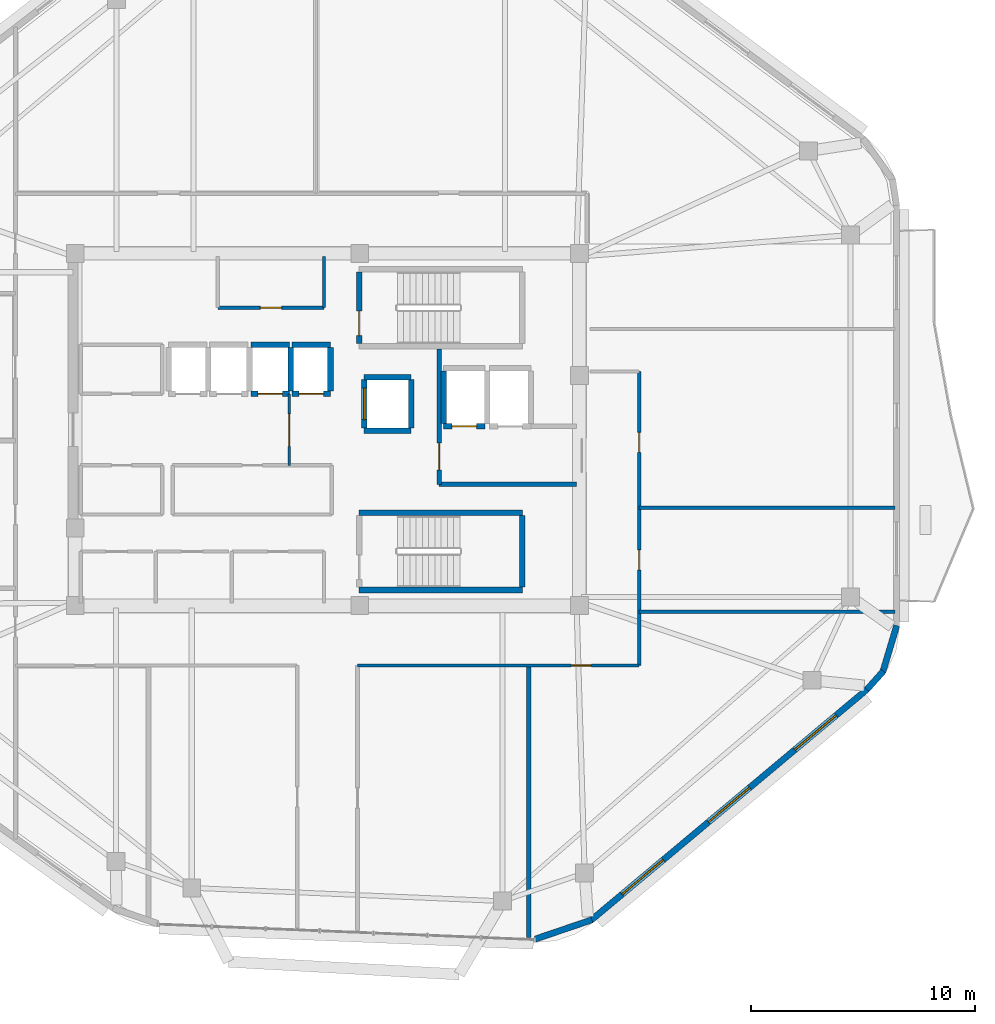
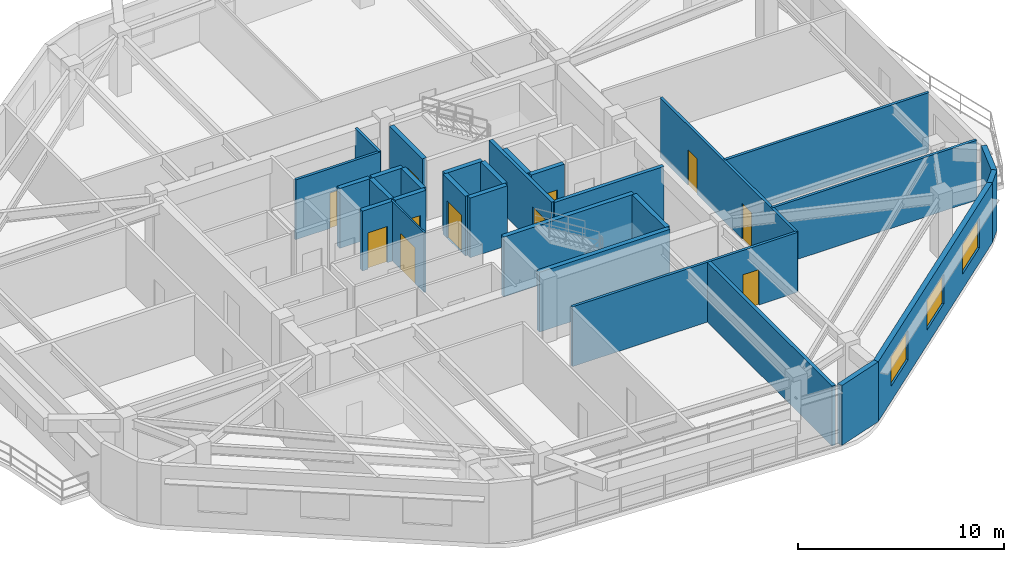
# One storey, part 9 of 13: 30 walls, 11 doors, 3 windows, 14 openings.
"""IFC4 building model written with IfcOpenShell, lengths in metres."""

from ifc_helpers import new_model, si_unit, direction, frame, frame_2d, origin, place, context, subcontext, project, spatial, rectangle, extrude, material, layer, layer_set, type_object, element, fill, save


model = new_model("IFC4")

# Units and contexts
model_context = context("Model", 3, precision=1e-05, world=origin(), true_north=direction((0.0, 1.0)))
body_context = subcontext(model_context, "Body", "Model", "MODEL_VIEW")
ifc_project = project(units=[si_unit("LENGTHUNIT", "METRE"), si_unit("AREAUNIT", "SQUARE_METRE"), si_unit("VOLUMEUNIT", "CUBIC_METRE"), si_unit("PLANEANGLEUNIT", "RADIAN"), si_unit("MASSUNIT", "GRAM", prefix="KILO")], contexts=[model_context])

# Site, building, storey
site_placement = place(None, origin())
site = spatial("IfcSite", under=ifc_project, at=site_placement, CompositionType="ELEMENT")
building_placement = place(site_placement, origin())
building = spatial("IfcBuilding", under=site, at=building_placement, Name="Zulverin Broadcast Headquarters", CompositionType="ELEMENT")
storey_placement = place(building_placement, frame((0.0, 0.0, 301.0)))
storey = spatial("IfcBuildingStorey", under=building, at=storey_placement, Name="L77", CompositionType="ELEMENT", Elevation=301.0)

# Wall
ifc_material_1 = material(Name="Acoustic drywall steel stud", Category="steel")
ifc_layer_1 = layer(ifc_material_1, 0.199951171875, Name="Acoustic drywall steel stud", Category="steel")
ifc_layer_set_1 = layer_set([ifc_layer_1], Name="Acoustic drywall steel stud")
wall_type_1 = type_object("IfcWallType", Name="WL-ACOU-200", PredefinedType="PARTITIONING", material=ifc_layer_set_1)
wall_1_placement = place(storey_placement, frame((46.0, 2.47705078125, 0.0), z_axis=(0.0, 0.0, 1.0), x_axis=(0.0, 1.0, 0.0)))
element("IfcWall", 1, at=wall_1_placement, inside=storey, type_object=wall_type_1, Name="L77 Room Partition Wall RP-03", PredefinedType="PARTITIONING", context=body_context, shape_type="SweptSolid", body=[
    extrude(rectangle(XDim=12.1728515625, YDim=0.199951171875, at=frame_2d((6.08642578125, 0.0))), origin(), (0.0, 0.0, 1.0), 3.5400390625),
])

# Wall, openings, windows
ifc_material_2 = material(Name="Insulated pale-metal clad concrete spandrel C40/50", Category="concrete")
ifc_layer_2 = layer(ifc_material_2, 0.280029296875, Name="Insulated pale-metal clad concrete spandrel C40/50", Category="concrete")
ifc_layer_set_2 = layer_set([ifc_layer_2], Name="Insulated pale-metal clad concrete spandrel C40/50")
wall_type_2 = type_object("IfcWallType", Name="WL-EXT-280", PredefinedType="STANDARD", material=ifc_layer_set_2)
wall_2_placement = place(storey_placement, frame((48.788818359375, 3.249755859375, 0.0), z_axis=(0.0, 0.0, 1.0), x_axis=(0.767032672101, 0.641608042288, 0.0)))
wall_2 = element("IfcWall", 2, at=wall_2_placement, inside=storey, type_object=wall_type_2, Name="L77 Pale-Metal Clad Spandrel Wall 2", PredefinedType="STANDARD", context=body_context, shape_type="SweptSolid", body=[
    extrude(rectangle(XDim=16.11328125, YDim=0.280029296875, at=frame_2d((8.056640625, 0.0))), origin(), (0.0, 0.0, 1.0), 3.5400390625),
])
opening_1_placement = place(wall_2_placement, frame((1.81884765625, 0.0, 0.89990234375)))
opening_1 = element("IfcOpeningElement", 3, at=opening_1_placement, cuts=wall_2, Name="Opening W-L77-E21", PredefinedType="OPENING", context=body_context, shape_type="SweptSolid", body=[
    extrude(rectangle(XDim=2.39990234375, YDim=1.75, at=frame_2d((1.199951171875, 0.875))), frame((0.0, 0.14990234375, 0.0), z_axis=(0.0, -1.0, 0.0), x_axis=(1.0, 0.0, 0.0)), (0.0, 0.0, 1.0), 0.300048828125),
])
opening_2_placement = place(wall_2_placement, frame((6.856689453125, 0.0, 0.89990234375)))
opening_2 = element("IfcOpeningElement", 4, at=opening_2_placement, cuts=wall_2, Name="Opening W-L77-E22", PredefinedType="OPENING", context=body_context, shape_type="SweptSolid", body=[
    extrude(rectangle(XDim=2.39990234375, YDim=1.75, at=frame_2d((1.199951171875, 0.875))), frame((0.0, 0.14990234375, 0.0), z_axis=(0.0, -1.0, 0.0), x_axis=(1.0, 0.0, 0.0)), (0.0, 0.0, 1.0), 0.300048828125),
])
opening_3_placement = place(wall_2_placement, frame((11.89453125, 0.0, 0.89990234375)))
opening_3 = element("IfcOpeningElement", 5, at=opening_3_placement, cuts=wall_2, Name="Opening W-L77-E23", PredefinedType="OPENING", context=body_context, shape_type="SweptSolid", body=[
    extrude(rectangle(XDim=2.39990234375, YDim=1.75, at=frame_2d((1.199951171875, 0.875))), frame((0.0, 0.14990234375, 0.0), z_axis=(0.0, -1.0, 0.0), x_axis=(1.0, 0.0, 0.0)), (0.0, 0.0, 1.0), 0.300048828125),
])
ifc_material_3 = material(Name="Pale anodized aluminium frame with solar-control low-E double glazing", Category="aluminium")
window_type = type_object("IfcWindowType", Name="WIN-RIB-2400", PartitioningType="SINGLE_PANEL", PredefinedType="WINDOW", material=ifc_material_3)
window_1_placement = place(opening_1_placement, origin())
window_1 = element("IfcWindow", 6, at=window_1_placement, inside=storey, type_object=window_type, Name="L77 Ribbon Glazing Window 2 1", OverallHeight=1.75, OverallWidth=2.39990234375, PartitioningType="SINGLE_PANEL", PredefinedType="WINDOW", context=body_context, shape_type="SweptSolid", body=[
    extrude(rectangle(XDim=2.39990234375, YDim=1.75, at=frame_2d((1.199951171875, 0.875))), frame((0.0, 0.030029296875, 0.0), z_axis=(0.0, -1.0, 0.0), x_axis=(1.0, 0.0, 0.0)), (0.0, 0.0, 1.0), 0.06005859375),
])
fill(opening_1, window_1)
window_2_placement = place(opening_2_placement, origin())
window_2 = element("IfcWindow", 7, at=window_2_placement, inside=storey, type_object=window_type, Name="L77 Ribbon Glazing Window 2 2", OverallHeight=1.75, OverallWidth=2.39990234375, PartitioningType="SINGLE_PANEL", PredefinedType="WINDOW", context=body_context, shape_type="SweptSolid", body=[
    extrude(rectangle(XDim=2.39990234375, YDim=1.75, at=frame_2d((1.199951171875, 0.875))), frame((0.0, 0.030029296875, 0.0), z_axis=(0.0, -1.0, 0.0), x_axis=(1.0, 0.0, 0.0)), (0.0, 0.0, 1.0), 0.06005859375),
])
fill(opening_2, window_2)
window_3_placement = place(opening_3_placement, origin())
window_3 = element("IfcWindow", 8, at=window_3_placement, inside=storey, type_object=window_type, Name="L77 Ribbon Glazing Window 2 3", OverallHeight=1.75, OverallWidth=2.39990234375, PartitioningType="SINGLE_PANEL", PredefinedType="WINDOW", context=body_context, shape_type="SweptSolid", body=[
    extrude(rectangle(XDim=2.39990234375, YDim=1.75, at=frame_2d((1.199951171875, 0.875))), frame((0.0, 0.030029296875, 0.0), z_axis=(0.0, -1.0, 0.0), x_axis=(1.0, 0.0, 0.0)), (0.0, 0.0, 1.0), 0.06005859375),
])
fill(opening_3, window_3)

# Walls
wall_3_placement = place(storey_placement, frame((46.301025390625, 2.413818359375, 0.0), z_axis=(0.0, 0.0, 1.0), x_axis=(0.946767737654, 0.321917459819, 0.0)))
element("IfcWall", 9, at=wall_3_placement, inside=storey, type_object=wall_type_2, Name="L77 Wind-Shaped Corner Spandrel Wall 1-1", PredefinedType="STANDARD", context=body_context, shape_type="SweptSolid", body=[
    extrude(rectangle(XDim=2.6748046875, YDim=0.280029296875, at=frame_2d((1.33740234375, 0.0))), origin(), (0.0, 0.0, 1.0), 3.5400390625),
])
wall_4_placement = place(storey_placement, frame((61.133544921875, 13.573974609375, 0.0), z_axis=(0.0, 0.0, 1.0), x_axis=(0.665804679247, 0.74612608123, 0.0)))
element("IfcWall", 10, at=wall_4_placement, inside=storey, type_object=wall_type_2, Name="L77 Wind-Shaped Corner Spandrel Wall 2-1", PredefinedType="STANDARD", context=body_context, shape_type="SweptSolid", body=[
    extrude(rectangle(XDim=1.103271484375, YDim=0.280029296875, at=frame_2d((0.5517578125, 0.0))), origin(), (0.0, 0.0, 1.0), 3.5400390625),
])
wall_5_placement = place(storey_placement, frame((61.838623046875, 14.34423828125, 0.0), z_axis=(0.0, 0.0, 1.0), x_axis=(0.287235049694, 0.957860128739, 0.0)))
element("IfcWall", 11, at=wall_5_placement, inside=storey, type_object=wall_type_2, Name="L77 Wind-Shaped Corner Spandrel Wall 2-2", PredefinedType="STANDARD", context=body_context, shape_type="SweptSolid", body=[
    extrude(rectangle(XDim=2.18359375, YDim=0.280029296875, at=frame_2d((1.091796875, 0.0))), origin(), (0.0, 0.0, 1.0), 3.5400390625),
])

# Wall, opening, door
ifc_material_4 = material(Name="Concrete C40/50", Category="concrete")
ifc_layer_3 = layer(ifc_material_4, 0.199951171875, Name="Concrete C40/50", Category="concrete")
ifc_layer_set_3 = layer_set([ifc_layer_3], Name="Concrete C40/50")
wall_type_3 = type_object("IfcWallType", Name="WL-FFL-200", PredefinedType="SOLIDWALL", material=ifc_layer_set_3)
wall_6_placement = place(storey_placement, frame((42.0, 22.75, 0.0), z_axis=(0.0, 0.0, 1.0), x_axis=(0.0, 1.0, 0.0)))
wall_6 = element("IfcWall", 12, at=wall_6_placement, inside=storey, type_object=wall_type_3, Name="L77 Firefighting Lift Lobby West Wall", PredefinedType="SOLIDWALL", context=body_context, shape_type="SweptSolid", body=[
    extrude(rectangle(XDim=6.050048828125, YDim=0.199951171875, at=frame_2d((3.02490234375, 0.0))), origin(), (0.0, 0.0, 1.0), 3.5400390625),
])
opening_4_placement = place(wall_6_placement, frame((0.64990234375, 0.0, 0.0)))
opening_4 = element("IfcOpeningElement", 13, at=opening_4_placement, cuts=wall_6, Name="Opening D-L77-FFLW", PredefinedType="OPENING", context=body_context, shape_type="SweptSolid", body=[
    extrude(rectangle(XDim=1.199951171875, YDim=2.14990234375, at=frame_2d((0.60009765625, 1.074951171875))), frame((0.0, 0.10986328125, 0.0), z_axis=(0.0, -1.0, 0.0), x_axis=(1.0, 0.0, 0.0)), (0.0, 0.0, 1.0), 0.219970703125),
])
ifc_material_5 = material(Name="Fire-rated steel leaf and frame", Category="steel")
door_type_1 = type_object("IfcDoorType", Name="DR-FFL-1200", OperationType="SINGLE_SWING_RIGHT", PredefinedType="DOOR", material=ifc_material_5)
door_1_placement = place(opening_4_placement, origin())
door_1 = element("IfcDoor", 14, at=door_1_placement, inside=storey, type_object=door_type_1, Name="L77 Firefighting Lift Lobby Door", OperationType="SINGLE_SWING_RIGHT", OverallHeight=2.14990234375, OverallWidth=1.199951171875, PredefinedType="DOOR", context=body_context, shape_type="SweptSolid", body=[
    extrude(rectangle(XDim=1.199951171875, YDim=2.14990234375, at=frame_2d((0.60009765625, 1.074951171875))), frame((0.0, 0.02490234375, 0.0), z_axis=(0.0, -1.0, 0.0), x_axis=(1.0, 0.0, 0.0)), (0.0, 0.0, 1.0), 0.050048828125),
])
fill(opening_4, door_1)

# Wall
wall_7_placement = place(storey_placement, frame((42.0, 22.75, 0.0), z_axis=(0.0, 0.0, 1.0), x_axis=(1.0, 0.0, 0.0)))
element("IfcWall", 15, at=wall_7_placement, inside=storey, type_object=wall_type_3, Name="L77 Firefighting Lift Lobby South Wall", PredefinedType="SOLIDWALL", context=body_context, shape_type="SweptSolid", body=[
    extrude(rectangle(XDim=6.14990234375, YDim=0.199951171875, at=frame_2d((3.074951171875, 0.0))), origin(), (0.0, 0.0, 1.0), 3.5400390625),
])

# Wall, opening, door
ifc_material_6 = material(Name="Fire-rated acoustic laminated glass screen", Category="glass")
ifc_layer_4 = layer(ifc_material_6, 0.10009765625, Name="Fire-rated acoustic laminated glass screen", Category="glass")
ifc_layer_set_4 = layer_set([ifc_layer_4], Name="Fire-rated acoustic laminated glass screen")
wall_type_4 = type_object("IfcWallType", Name="WL-GLAZ-100", PredefinedType="PARTITIONING", material=ifc_layer_set_4)
wall_8_placement = place(storey_placement, frame((35.300048828125, 23.60009765625, 0.0), z_axis=(0.0, 0.0, 1.0), x_axis=(0.0, 1.0, 0.0)))
wall_8 = element("IfcWall", 16, at=wall_8_placement, inside=storey, type_object=wall_type_4, Name="L77 Central Core Smoke Vestibule Screen", PredefinedType="PARTITIONING", context=body_context, shape_type="SweptSolid", body=[
    extrude(rectangle(XDim=3.199951171875, YDim=0.10009765625, at=frame_2d((1.60009765625, 0.0))), origin(), (0.0, 0.0, 1.0), 3.5400390625),
])
opening_5_placement = place(wall_8_placement, frame((0.85009765625, 0.0, 0.0)))
opening_5 = element("IfcOpeningElement", 17, at=opening_5_placement, cuts=wall_8, Name="Opening D-L77-CL2", PredefinedType="OPENING", context=body_context, shape_type="SweptSolid", body=[
    extrude(rectangle(XDim=1.449951171875, YDim=2.1201171875, at=frame_2d((0.72509765625, 1.06005859375))), frame((0.0, 0.06005859375, 0.0), z_axis=(0.0, -1.0, 0.0), x_axis=(1.0, 0.0, 0.0)), (0.0, 0.0, 1.0), 0.1201171875),
])
ifc_material_7 = material(Name="Fire-rated acoustic glazed double leaf", Category="glass")
door_type_2 = type_object("IfcDoorType", Name="DR-GLZ-1450", OperationType="DOUBLE_DOOR_SINGLE_SWING", PredefinedType="DOOR", material=ifc_material_7)
door_2_placement = place(opening_5_placement, origin())
door_2 = element("IfcDoor", 18, at=door_2_placement, inside=storey, type_object=door_type_2, Name="L77 Central Core Smoke Vestibule Door", OperationType="DOUBLE_DOOR_SINGLE_SWING", OverallHeight=2.1201171875, OverallWidth=1.449951171875, PredefinedType="DOOR", context=body_context, shape_type="SweptSolid", body=[
    extrude(rectangle(XDim=1.449951171875, YDim=2.1201171875, at=frame_2d((0.72509765625, 1.06005859375))), frame((0.0, 0.02490234375, 0.0), z_axis=(0.0, -1.0, 0.0), x_axis=(1.0, 0.0, 0.0)), (0.0, 0.0, 1.0), 0.050048828125),
])
fill(opening_5, door_2)

ifc_material_8 = material(Name="Fire-rated gypsum stud partition", Category="gypsum")
ifc_layer_5 = layer(ifc_material_8, 0.14990234375, Name="Fire-rated gypsum stud partition", Category="gypsum")
ifc_layer_set_5 = layer_set([ifc_layer_5], Name="Fire-rated gypsum stud partition")
wall_type_5 = type_object("IfcWallType", Name="WL-PART-150", PredefinedType="PARTITIONING", material=ifc_layer_set_5)
wall_9_placement = place(storey_placement, frame((32.10009765625, 30.64990234375, 0.0), z_axis=(0.0, 0.0, 1.0), x_axis=(1.0, 0.0, 0.0)))
wall_9 = element("IfcWall", 19, at=wall_9_placement, inside=storey, type_object=wall_type_5, Name="L77 Core Accessible WC & Electrical Riser Front Wall", PredefinedType="PARTITIONING", context=body_context, shape_type="SweptSolid", body=[
    extrude(rectangle(XDim=4.75, YDim=0.14990234375, at=frame_2d((2.375, 0.0))), origin(), (0.0, 0.0, 1.0), 3.5400390625),
])
opening_6_placement = place(wall_9_placement, frame((1.89990234375, 0.0, 0.0)))
opening_6 = element("IfcOpeningElement", 20, at=opening_6_placement, cuts=wall_9, Name="Opening D-L77-NC1", PredefinedType="OPENING", context=body_context, shape_type="SweptSolid", body=[
    extrude(rectangle(XDim=0.949951171875, YDim=2.10009765625, at=frame_2d((0.47509765625, 1.050048828125))), frame((0.0, 0.0849609375, 0.0), z_axis=(0.0, -1.0, 0.0), x_axis=(1.0, 0.0, 0.0)), (0.0, 0.0, 1.0), 0.169921875),
])
ifc_material_9 = material(Name="Fire-rated moisture-resistant laminate leaf", Category="wood")
door_type_3 = type_object("IfcDoorType", Name="DR-WC-950", OperationType="SINGLE_SWING_LEFT", PredefinedType="DOOR", material=ifc_material_9)
door_3_placement = place(opening_6_placement, origin())
door_3 = element("IfcDoor", 21, at=door_3_placement, inside=storey, type_object=door_type_3, Name="L77 Accessible WC & Electrical Riser Door", OperationType="SINGLE_SWING_LEFT", OverallHeight=2.10009765625, OverallWidth=0.949951171875, PredefinedType="DOOR", context=body_context, shape_type="SweptSolid", body=[
    extrude(rectangle(XDim=0.949951171875, YDim=2.10009765625, at=frame_2d((0.47509765625, 1.050048828125))), frame((0.0, 0.02490234375, 0.0), z_axis=(0.0, -1.0, 0.0), x_axis=(1.0, 0.0, 0.0)), (0.0, 0.0, 1.0), 0.050048828125),
])
fill(opening_6, door_3)

# Wall
wall_10_placement = place(storey_placement, frame((36.85009765625, 30.64990234375, 0.0), z_axis=(0.0, 0.0, 1.0), x_axis=(0.0, 1.0, 0.0)))
element("IfcWall", 22, at=wall_10_placement, inside=storey, type_object=wall_type_5, Name="L77 Core Accessible WC & Electrical Riser East Wall", PredefinedType="PARTITIONING", context=body_context, shape_type="SweptSolid", body=[
    extrude(rectangle(XDim=2.300048828125, YDim=0.14990234375, at=frame_2d((1.14990234375, 0.0))), origin(), (0.0, 0.0, 1.0), 3.5400390625),
])

# Wall, openings, doors
wall_11_placement = place(storey_placement, frame((50.949951171875, 14.64990234375, 0.0), z_axis=(0.0, 0.0, 1.0), x_axis=(0.0, 1.0, 0.0)))
wall_11 = element("IfcWall", 23, at=wall_11_placement, inside=storey, type_object=wall_type_5, Name="L77 Gallery Partition Wall CG-01", PredefinedType="PARTITIONING", context=body_context, shape_type="SweptSolid", body=[
    extrude(rectangle(XDim=13.150146484375, YDim=0.14990234375, at=frame_2d((6.5751953125, 0.0))), origin(), (0.0, 0.0, 1.0), 3.5400390625),
])
opening_7_placement = place(wall_11_placement, frame((4.27490234375, 0.0, 0.0)))
opening_7 = element("IfcOpeningElement", 24, at=opening_7_placement, cuts=wall_11, Name="Opening D-L77-11", PredefinedType="OPENING", context=body_context, shape_type="SweptSolid", body=[
    extrude(rectangle(XDim=0.89990234375, YDim=2.10009765625, at=frame_2d((0.449951171875, 1.050048828125))), frame((0.0, 0.0849609375, 0.0), z_axis=(0.0, -1.0, 0.0), x_axis=(1.0, 0.0, 0.0)), (0.0, 0.0, 1.0), 0.169921875),
])
opening_8_placement = place(wall_11_placement, frame((9.530029296875, 0.0, 0.0)))
opening_8 = element("IfcOpeningElement", 25, at=opening_8_placement, cuts=wall_11, Name="Opening D-L77-12", PredefinedType="OPENING", context=body_context, shape_type="SweptSolid", body=[
    extrude(rectangle(XDim=0.89990234375, YDim=2.10009765625, at=frame_2d((0.449951171875, 1.050048828125))), frame((0.0, 0.0849609375, 0.0), z_axis=(0.0, -1.0, 0.0), x_axis=(1.0, 0.0, 0.0)), (0.0, 0.0, 1.0), 0.169921875),
])
ifc_material_10 = material(Name="Fire-rated hardwood veneer timber leaf", Category="wood")
door_type_4 = type_object("IfcDoorType", Name="DR-ROOM-900", OperationType="SINGLE_SWING_RIGHT", PredefinedType="DOOR", material=ifc_material_10)
door_4_placement = place(opening_7_placement, origin())
door_4 = element("IfcDoor", 26, at=door_4_placement, inside=storey, type_object=door_type_4, Name="L77 Broadcast Heritage Museum Door", OperationType="SINGLE_SWING_LEFT", OverallHeight=2.10009765625, OverallWidth=0.89990234375, PredefinedType="DOOR", context=body_context, shape_type="SweptSolid", body=[
    extrude(rectangle(XDim=0.89990234375, YDim=2.10009765625, at=frame_2d((0.449951171875, 1.050048828125))), frame((0.0, 0.02490234375, 0.0), z_axis=(0.0, -1.0, 0.0), x_axis=(1.0, 0.0, 0.0)), (0.0, 0.0, 1.0), 0.050048828125),
])
fill(opening_7, door_4)
door_5_placement = place(opening_8_placement, origin())
door_5 = element("IfcDoor", 27, at=door_5_placement, inside=storey, type_object=door_type_4, Name="L77 Executive Screening Suite Door", OperationType="SINGLE_SWING_RIGHT", OverallHeight=2.10009765625, OverallWidth=0.89990234375, PredefinedType="DOOR", context=body_context, shape_type="SweptSolid", body=[
    extrude(rectangle(XDim=0.89990234375, YDim=2.10009765625, at=frame_2d((0.449951171875, 1.050048828125))), frame((0.0, 0.02490234375, 0.0), z_axis=(0.0, -1.0, 0.0), x_axis=(1.0, 0.0, 0.0)), (0.0, 0.0, 1.0), 0.050048828125),
])
fill(opening_8, door_5)

# Wall, opening, door
wall_12_placement = place(storey_placement, frame((38.35009765625, 14.64990234375, 0.0), z_axis=(0.0, 0.0, 1.0), x_axis=(1.0, 0.0, 0.0)))
wall_12 = element("IfcWall", 28, at=wall_12_placement, inside=storey, type_object=wall_type_5, Name="L77 Gallery Partition Wall CG-10", PredefinedType="PARTITIONING", context=body_context, shape_type="SweptSolid", body=[
    extrude(rectangle(XDim=12.599853515625, YDim=0.14990234375, at=frame_2d((6.2998046875, 0.0))), origin(), (0.0, 0.0, 1.0), 3.5400390625),
])
opening_9_placement = place(wall_12_placement, frame((9.554931640625, 0.0, 0.0)))
opening_9 = element("IfcOpeningElement", 29, at=opening_9_placement, cuts=wall_12, Name="Opening D-L77-06", PredefinedType="OPENING", context=body_context, shape_type="SweptSolid", body=[
    extrude(rectangle(XDim=0.89990234375, YDim=2.10009765625, at=frame_2d((0.449951171875, 1.050048828125))), frame((0.0, 0.0849609375, 0.0), z_axis=(0.0, -1.0, 0.0), x_axis=(1.0, 0.0, 0.0)), (0.0, 0.0, 1.0), 0.169921875),
])
door_6_placement = place(opening_9_placement, origin())
door_6 = element("IfcDoor", 30, at=door_6_placement, inside=storey, type_object=door_type_4, Name="L77 Panorama Cafe & Bar Door", OperationType="SINGLE_SWING_RIGHT", OverallHeight=2.10009765625, OverallWidth=0.89990234375, PredefinedType="DOOR", context=body_context, shape_type="SweptSolid", body=[
    extrude(rectangle(XDim=0.89990234375, YDim=2.10009765625, at=frame_2d((0.449951171875, 1.050048828125))), frame((0.0, 0.02490234375, 0.0), z_axis=(0.0, -1.0, 0.0), x_axis=(1.0, 0.0, 0.0)), (0.0, 0.0, 1.0), 0.050048828125),
])
fill(opening_9, door_6)

# Walls
for number, where, z_axis, x_axis, name in (
    (31, (50.949951171875, 17.050048828125, 0.0), (0.0, 0.0, 1.0), (1.0, 0.0, 0.0), "L77 Room Partition Wall RP-11"),
    (32, (50.949951171875, 21.699951171875, 0.0), (0.0, 0.0, 1.0), (1.0, 0.0, 0.0), "L77 Room Partition Wall RP-13"),
):
    element("IfcWall", number, at=place(storey_placement, frame(where, z_axis=z_axis, x_axis=x_axis)), inside=storey, type_object=wall_type_5, Name=name, PredefinedType="PARTITIONING", context=body_context, shape_type="SweptSolid", body=[
        extrude(rectangle(XDim=11.445068359375, YDim=0.14990234375, at=frame_2d((5.72265625, 0.0))), origin(), (0.0, 0.0, 1.0), 3.5400390625),
    ])

# Wall, opening, door
ifc_material_11 = material(Name="Concrete C50/60", Category="concrete")
ifc_layer_6 = layer(ifc_material_11, 0.25, Name="Concrete C50/60", Category="concrete")
ifc_layer_set_6 = layer_set([ifc_layer_6], Name="Concrete C50/60")
wall_type_6 = type_object("IfcWallType", Name="WL-SHAFT-250", PredefinedType="SHEAR", material=ifc_layer_set_6)
wall_13_placement = place(storey_placement, frame((38.425048828125, 29.050048828125, 0.0), z_axis=(0.0, 0.0, 1.0), x_axis=(0.0, 1.0, 0.0)))
wall_13 = element("IfcWall", 33, at=wall_13_placement, inside=storey, type_object=wall_type_6, Name="L77 ST-1 Enclosure Wall W", PredefinedType="SHEAR", context=body_context, shape_type="SweptSolid", body=[
    extrude(rectangle(XDim=3.199951171875, YDim=0.25, at=frame_2d((1.60009765625, 0.0))), origin(), (0.0, 0.0, 1.0), 3.5400390625),
])
opening_10_placement = place(wall_13_placement, frame((0.35009765625, 0.0, 0.0)))
opening_10 = element("IfcOpeningElement", 34, at=opening_10_placement, cuts=wall_13, Name="Opening D-L77-ST-1", PredefinedType="OPENING", context=body_context, shape_type="SweptSolid", body=[
    extrude(rectangle(XDim=1.10009765625, YDim=2.14990234375, at=frame_2d((0.550048828125, 1.074951171875))), frame((0.0, 0.135009765625, 0.0), z_axis=(0.0, -1.0, 0.0), x_axis=(1.0, 0.0, 0.0)), (0.0, 0.0, 1.0), 0.27001953125),
])
door_type_5 = type_object("IfcDoorType", Name="DR-STAIR-1100", OperationType="SINGLE_SWING_LEFT", PredefinedType="DOOR", material=ifc_material_5)
door_7_placement = place(opening_10_placement, origin())
door_7 = element("IfcDoor", 35, at=door_7_placement, inside=storey, type_object=door_type_5, Name="L77 Exit Stair ST-1 Fire Door", OperationType="SINGLE_SWING_LEFT", OverallHeight=2.14990234375, OverallWidth=1.10009765625, PredefinedType="DOOR", context=body_context, shape_type="SweptSolid", body=[
    extrude(rectangle(XDim=1.10009765625, YDim=2.14990234375, at=frame_2d((0.550048828125, 1.074951171875))), frame((0.0, 0.02490234375, 0.0), z_axis=(0.0, -1.0, 0.0), x_axis=(1.0, 0.0, 0.0)), (0.0, 0.0, 1.0), 0.050048828125),
])
fill(opening_10, door_7)

# Walls
for number, where, z_axis, x_axis, name in (
    (36, (38.425048828125, 18.02490234375, 0.0), (0.0, 0.0, 1.0), (1.0, 0.0, 0.0), "L77 ST-2 Enclosure Wall S"),
    (37, (38.425048828125, 21.47509765625, 0.0), (0.0, 0.0, 1.0), (1.0, 0.0, 0.0), "L77 ST-2 Enclosure Wall N"),
):
    element("IfcWall", number, at=place(storey_placement, frame(where, z_axis=z_axis, x_axis=x_axis)), inside=storey, type_object=wall_type_6, Name=name, PredefinedType="SHEAR", context=body_context, shape_type="SweptSolid", body=[
        extrude(rectangle(XDim=7.300048828125, YDim=0.25, at=frame_2d((3.64990234375, 0.0))), origin(), (0.0, 0.0, 1.0), 3.5400390625),
    ])
wall_14_placement = place(storey_placement, frame((45.72509765625, 18.14990234375, 0.0), z_axis=(0.0, 0.0, 1.0), x_axis=(0.0, 1.0, 0.0)))
element("IfcWall", 38, at=wall_14_placement, inside=storey, type_object=wall_type_6, Name="L77 ST-2 Enclosure Wall E", PredefinedType="SHEAR", context=body_context, shape_type="SweptSolid", body=[
    extrude(rectangle(XDim=3.2001953125, YDim=0.25, at=frame_2d((1.60009765625, 0.0))), origin(), (0.0, 0.0, 1.0), 3.5400390625),
])

# Wall, opening, door
wall_15_placement = place(storey_placement, frame((33.580078125, 26.800048828125, 0.0), z_axis=(0.0, 0.0, 1.0), x_axis=(1.0, 0.0, 0.0)))
wall_15 = element("IfcWall", 39, at=wall_15_placement, inside=storey, type_object=wall_type_6, Name="L77 Lift PL-H3 Shaft Wall S", PredefinedType="SHEAR", context=body_context, shape_type="SweptSolid", body=[
    extrude(rectangle(XDim=1.719970703125, YDim=0.25, at=frame_2d((0.85986328125, 0.0))), origin(), (0.0, 0.0, 1.0), 3.5400390625),
])
opening_11_placement = place(wall_15_placement, frame((0.31005859375, 0.0, 0.0)))
opening_11 = element("IfcOpeningElement", 40, at=opening_11_placement, cuts=wall_15, Name="Opening LD-PL-H3-L77", PredefinedType="OPENING", context=body_context, shape_type="SweptSolid", body=[
    extrude(rectangle(XDim=1.10009765625, YDim=2.14990234375, at=frame_2d((0.550048828125, 1.074951171875))), frame((0.0, 0.135009765625, 0.0), z_axis=(0.0, -1.0, 0.0), x_axis=(1.0, 0.0, 0.0)), (0.0, 0.0, 1.0), 0.27001953125),
])
ifc_material_12 = material(Name="Brushed stainless steel landing", Category="steel")
door_type_6 = type_object("IfcDoorType", Name="LD-PASS-1100", OperationType="DOUBLE_DOOR_SLIDING", PredefinedType="DOOR", material=ifc_material_12)
door_8_placement = place(opening_11_placement, origin())
door_8 = element("IfcDoor", 41, at=door_8_placement, inside=storey, type_object=door_type_6, Name="L77 Lift PL-H3 Sliding Landing Door", OperationType="DOUBLE_DOOR_SLIDING", OverallHeight=2.14990234375, OverallWidth=1.10009765625, PredefinedType="DOOR", context=body_context, shape_type="SweptSolid", body=[
    extrude(rectangle(XDim=1.10009765625, YDim=2.14990234375, at=frame_2d((0.550048828125, 1.074951171875))), frame((0.0, 0.02490234375, 0.0), z_axis=(0.0, -1.0, 0.0), x_axis=(1.0, 0.0, 0.0)), (0.0, 0.0, 1.0), 0.050048828125),
])
fill(opening_11, door_8)

# Walls
wall_16_placement = place(storey_placement, frame((33.580078125, 29.0, 0.0), z_axis=(0.0, 0.0, 1.0), x_axis=(1.0, 0.0, 0.0)))
element("IfcWall", 42, at=wall_16_placement, inside=storey, type_object=wall_type_6, Name="L77 Lift PL-H3 Shaft Wall N", PredefinedType="SHEAR", context=body_context, shape_type="SweptSolid", body=[
    extrude(rectangle(XDim=1.719970703125, YDim=0.25, at=frame_2d((0.85986328125, 0.0))), origin(), (0.0, 0.0, 1.0), 3.5400390625),
])
wall_17_placement = place(storey_placement, frame((35.360107421875, 26.919921875, 0.0), z_axis=(0.0, 0.0, 1.0), x_axis=(0.0, 1.0, 0.0)))
element("IfcWall", 43, at=wall_17_placement, inside=storey, type_object=wall_type_6, Name="L77 Lift PL-H3 Shaft Wall E", PredefinedType="SHEAR", context=body_context, shape_type="SweptSolid", body=[
    extrude(rectangle(XDim=1.9599609375, YDim=0.25, at=frame_2d((0.97998046875, 0.0))), origin(), (0.0, 0.0, 1.0), 3.5400390625),
])

# Wall, opening, door
wall_18_placement = place(storey_placement, frame((35.419921875, 26.800048828125, 0.0), z_axis=(0.0, 0.0, 1.0), x_axis=(1.0, 0.0, 0.0)))
wall_18 = element("IfcWall", 44, at=wall_18_placement, inside=storey, type_object=wall_type_6, Name="L77 Lift PL-H4 Shaft Wall S", PredefinedType="SHEAR", context=body_context, shape_type="SweptSolid", body=[
    extrude(rectangle(XDim=1.719970703125, YDim=0.25, at=frame_2d((0.85986328125, 0.0))), origin(), (0.0, 0.0, 1.0), 3.5400390625),
])
opening_12_placement = place(wall_18_placement, frame((0.31005859375, 0.0, 0.0)))
opening_12 = element("IfcOpeningElement", 45, at=opening_12_placement, cuts=wall_18, Name="Opening LD-PL-H4-L77", PredefinedType="OPENING", context=body_context, shape_type="SweptSolid", body=[
    extrude(rectangle(XDim=1.10009765625, YDim=2.14990234375, at=frame_2d((0.550048828125, 1.074951171875))), frame((0.0, 0.135009765625, 0.0), z_axis=(0.0, -1.0, 0.0), x_axis=(1.0, 0.0, 0.0)), (0.0, 0.0, 1.0), 0.27001953125),
])
door_9_placement = place(opening_12_placement, origin())
door_9 = element("IfcDoor", 46, at=door_9_placement, inside=storey, type_object=door_type_6, Name="L77 Lift PL-H4 Sliding Landing Door", OperationType="DOUBLE_DOOR_SLIDING", OverallHeight=2.14990234375, OverallWidth=1.10009765625, PredefinedType="DOOR", context=body_context, shape_type="SweptSolid", body=[
    extrude(rectangle(XDim=1.10009765625, YDim=2.14990234375, at=frame_2d((0.550048828125, 1.074951171875))), frame((0.0, 0.02490234375, 0.0), z_axis=(0.0, -1.0, 0.0), x_axis=(1.0, 0.0, 0.0)), (0.0, 0.0, 1.0), 0.050048828125),
])
fill(opening_12, door_9)

# Walls
wall_19_placement = place(storey_placement, frame((35.419921875, 29.0, 0.0), z_axis=(0.0, 0.0, 1.0), x_axis=(1.0, 0.0, 0.0)))
element("IfcWall", 47, at=wall_19_placement, inside=storey, type_object=wall_type_6, Name="L77 Lift PL-H4 Shaft Wall N", PredefinedType="SHEAR", context=body_context, shape_type="SweptSolid", body=[
    extrude(rectangle(XDim=1.719970703125, YDim=0.25, at=frame_2d((0.85986328125, 0.0))), origin(), (0.0, 0.0, 1.0), 3.5400390625),
])
wall_20_placement = place(storey_placement, frame((37.139892578125, 26.919921875, 0.0), z_axis=(0.0, 0.0, 1.0), x_axis=(0.0, 1.0, 0.0)))
element("IfcWall", 48, at=wall_20_placement, inside=storey, type_object=wall_type_6, Name="L77 Lift PL-H4 Shaft Wall E", PredefinedType="SHEAR", context=body_context, shape_type="SweptSolid", body=[
    extrude(rectangle(XDim=1.9599609375, YDim=0.25, at=frame_2d((0.97998046875, 0.0))), origin(), (0.0, 0.0, 1.0), 3.5400390625),
])

# Wall, opening, door
wall_21_placement = place(storey_placement, frame((42.199951171875, 25.35009765625, 0.0), z_axis=(0.0, 0.0, 1.0), x_axis=(1.0, 0.0, 0.0)))
wall_21 = element("IfcWall", 49, at=wall_21_placement, inside=storey, type_object=wall_type_6, Name="L77 Lift FFL-1 Shaft Wall S", PredefinedType="SHEAR", context=body_context, shape_type="SweptSolid", body=[
    extrude(rectangle(XDim=1.85009765625, YDim=0.25, at=frame_2d((0.925048828125, 0.0))), origin(), (0.0, 0.0, 1.0), 3.5400390625),
])
opening_13_placement = place(wall_21_placement, frame((0.375, 0.0, 0.0)))
opening_13 = element("IfcOpeningElement", 50, at=opening_13_placement, cuts=wall_21, Name="Opening LD-FFL-1-L77", PredefinedType="OPENING", context=body_context, shape_type="SweptSolid", body=[
    extrude(rectangle(XDim=1.10009765625, YDim=2.14990234375, at=frame_2d((0.550048828125, 1.074951171875))), frame((0.0, 0.135009765625, 0.0), z_axis=(0.0, -1.0, 0.0), x_axis=(1.0, 0.0, 0.0)), (0.0, 0.0, 1.0), 0.27001953125),
])
ifc_material_13 = material(Name="Fire-rated stainless landing door", Category="steel")
door_type_7 = type_object("IfcDoorType", Name="LD-FFL-1100", OperationType="DOUBLE_DOOR_SLIDING", PredefinedType="DOOR", material=ifc_material_13)
door_10_placement = place(opening_13_placement, origin())
door_10 = element("IfcDoor", 51, at=door_10_placement, inside=storey, type_object=door_type_7, Name="L77 Lift FFL-1 Sliding Landing Door", OperationType="DOUBLE_DOOR_SLIDING", OverallHeight=2.14990234375, OverallWidth=1.10009765625, PredefinedType="DOOR", context=body_context, shape_type="SweptSolid", body=[
    extrude(rectangle(XDim=1.10009765625, YDim=2.14990234375, at=frame_2d((0.550048828125, 1.074951171875))), frame((0.0, 0.02490234375, 0.0), z_axis=(0.0, -1.0, 0.0), x_axis=(1.0, 0.0, 0.0)), (0.0, 0.0, 1.0), 0.050048828125),
])
fill(opening_13, door_10)

# Walls
wall_22_placement = place(storey_placement, frame((42.199951171875, 25.469970703125, 0.0), z_axis=(0.0, 0.0, 1.0), x_axis=(0.0, 1.0, 0.0)))
element("IfcWall", 52, at=wall_22_placement, inside=storey, type_object=wall_type_6, Name="L77 Lift FFL-1 Shaft Wall W", PredefinedType="SHEAR", context=body_context, shape_type="SweptSolid", body=[
    extrude(rectangle(XDim=2.360107421875, YDim=0.25, at=frame_2d((1.18017578125, 0.0))), origin(), (0.0, 0.0, 1.0), 3.5400390625),
])
for number, where, z_axis, x_axis, name in (
    (53, (38.64990234375, 25.14990234375, 0.0), (0.0, 0.0, 1.0), (1.0, 0.0, 0.0), "L77 Lift SVL-1 Shaft Wall S"),
    (54, (38.64990234375, 27.550048828125, 0.0), (0.0, 0.0, 1.0), (1.0, 0.0, 0.0), "L77 Lift SVL-1 Shaft Wall N"),
):
    element("IfcWall", number, at=place(storey_placement, frame(where, z_axis=z_axis, x_axis=x_axis)), inside=storey, type_object=wall_type_6, Name=name, PredefinedType="SHEAR", context=body_context, shape_type="SweptSolid", body=[
        extrude(rectangle(XDim=2.10009765625, YDim=0.25, at=frame_2d((1.050048828125, 0.0))), origin(), (0.0, 0.0, 1.0), 3.5400390625),
    ])

# Wall, opening, door
wall_23_placement = place(storey_placement, frame((38.64990234375, 25.27001953125, 0.0), z_axis=(0.0, 0.0, 1.0), x_axis=(0.0, 1.0, 0.0)))
wall_23 = element("IfcWall", 55, at=wall_23_placement, inside=storey, type_object=wall_type_6, Name="L77 Lift SVL-1 Shaft Wall W", PredefinedType="SHEAR", context=body_context, shape_type="SweptSolid", body=[
    extrude(rectangle(XDim=2.159912109375, YDim=0.25, at=frame_2d((1.080078125, 0.0))), origin(), (0.0, 0.0, 1.0), 3.5400390625),
])
opening_14_placement = place(wall_23_placement, frame((0.3798828125, 0.0, 0.0)))
opening_14 = element("IfcOpeningElement", 56, at=opening_14_placement, cuts=wall_23, Name="Opening LD-SVL-1-L77", PredefinedType="OPENING", context=body_context, shape_type="SweptSolid", body=[
    extrude(rectangle(XDim=1.39990234375, YDim=2.199951171875, at=frame_2d((0.699951171875, 1.10009765625))), frame((0.0, 0.135009765625, 0.0), z_axis=(0.0, -1.0, 0.0), x_axis=(1.0, 0.0, 0.0)), (0.0, 0.0, 1.0), 0.27001953125),
])
ifc_material_14 = material(Name="Heavy-duty stainless landing door", Category="steel")
door_type_8 = type_object("IfcDoorType", Name="LD-GOODS-1400", OperationType="DOUBLE_DOOR_SLIDING", PredefinedType="DOOR", material=ifc_material_14)
door_11_placement = place(opening_14_placement, origin())
door_11 = element("IfcDoor", 57, at=door_11_placement, inside=storey, type_object=door_type_8, Name="L77 Lift SVL-1 Sliding Landing Door", OperationType="DOUBLE_DOOR_SLIDING", OverallHeight=2.199951171875, OverallWidth=1.39990234375, PredefinedType="DOOR", context=body_context, shape_type="SweptSolid", body=[
    extrude(rectangle(XDim=1.39990234375, YDim=2.199951171875, at=frame_2d((0.699951171875, 1.10009765625))), frame((0.0, 0.02490234375, 0.0), z_axis=(0.0, -1.0, 0.0), x_axis=(1.0, 0.0, 0.0)), (0.0, 0.0, 1.0), 0.050048828125),
])
fill(opening_14, door_11)

# Wall
wall_24_placement = place(storey_placement, frame((40.75, 25.27001953125, 0.0), z_axis=(0.0, 0.0, 1.0), x_axis=(0.0, 1.0, 0.0)))
element("IfcWall", 58, at=wall_24_placement, inside=storey, type_object=wall_type_6, Name="L77 Lift SVL-1 Shaft Wall E", PredefinedType="SHEAR", context=body_context, shape_type="SweptSolid", body=[
    extrude(rectangle(XDim=2.159912109375, YDim=0.25, at=frame_2d((1.080078125, 0.0))), origin(), (0.0, 0.0, 1.0), 3.5400390625),
])

save(model, "model.ifc")
